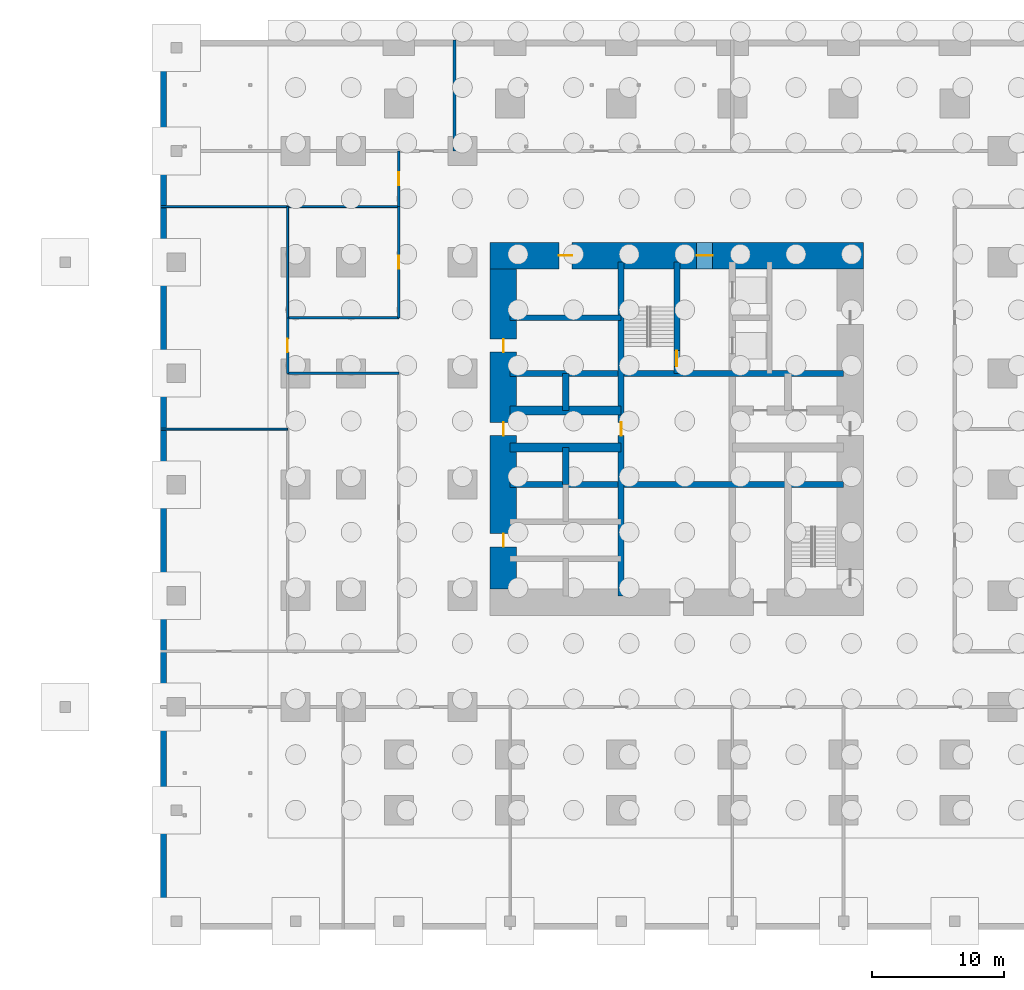
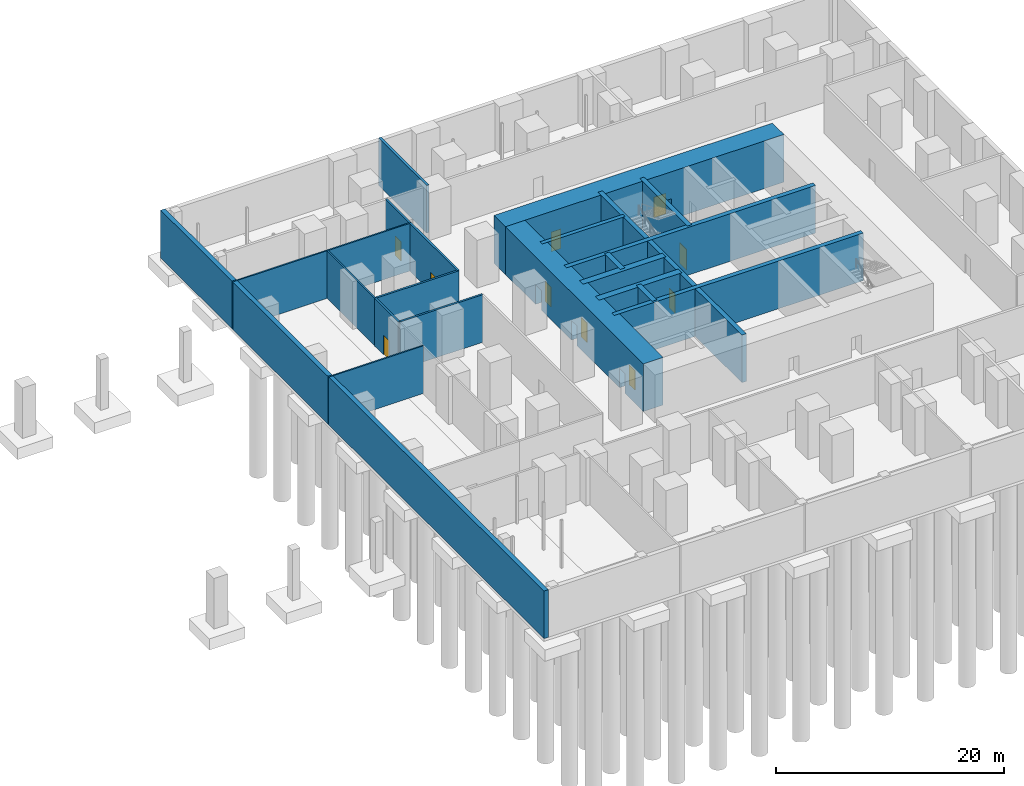
# One storey, part 13 of 18: 21 walls, 10 doors, 10 openings.
"""IFC4 building model written with IfcOpenShell, lengths in metres."""

from ifc_helpers import new_model, si_unit, direction, frame, frame_2d, origin, place, context, subcontext, project, spatial, rectangle, extrude, material, layer, layer_set, type_object, element, fill, save


model = new_model("IFC4")

# Units and contexts
model_context = context("Model", 3, precision=1e-05, world=origin(), true_north=direction((0.0, 1.0)))
body_context = subcontext(model_context, "Body", "Model", "MODEL_VIEW")
ifc_project = project(units=[si_unit("LENGTHUNIT", "METRE"), si_unit("AREAUNIT", "SQUARE_METRE"), si_unit("VOLUMEUNIT", "CUBIC_METRE"), si_unit("PLANEANGLEUNIT", "RADIAN"), si_unit("MASSUNIT", "GRAM", prefix="KILO")], contexts=[model_context])

# Site, building, storey
site_placement = place(None, origin())
site = spatial("IfcSite", under=ifc_project, at=site_placement, CompositionType="ELEMENT")
building_placement = place(site_placement, origin())
building = spatial("IfcBuilding", under=site, at=building_placement, Name="Dunama Terrace Hotel", CompositionType="ELEMENT")
storey_placement = place(building_placement, frame((0.0, 0.0, -5.39990234375)))
storey = spatial("IfcBuildingStorey", under=building, at=storey_placement, Name="B1", CompositionType="ELEMENT", Elevation=-5.39990234375)

# Walls
ifc_material_1 = material(Name="Concrete C40/50", Category="concrete")
ifc_layer_1 = layer(ifc_material_1, 0.449951171875)
ifc_layer_set_1 = layer_set([ifc_layer_1], Name="Basement retaining wall 450")
wall_type_1 = type_object("IfcWallType", Name="Basement retaining wall 450", PredefinedType="SOLIDWALL", material=ifc_layer_set_1)
wall_1_placement = place(storey_placement, frame((-9.375, 58.800048828125, 0.0), z_axis=(0.0, 0.0, 1.0), x_axis=(0.0, -1.0, 0.0)))
element("IfcWall", 1, at=wall_1_placement, inside=storey, type_object=wall_type_1, Name="Basement retaining wall", PredefinedType="SOLIDWALL", context=body_context, shape_type="SweptSolid", body=[
    extrude(rectangle(XDim=67.199951171875, YDim=0.449951171875, at=frame_2d((33.60009765625, 0.0))), origin(), (0.0, 0.0, 1.0), 5.099853515625),
])
ifc_material_2 = material(Name="Concrete C50/60", Category="concrete")
ifc_layer_2 = layer(ifc_material_2, 0.39990234375)
ifc_layer_set_2 = layer_set([ifc_layer_2], Name="Core inner wall 400")
wall_type_2 = type_object("IfcWallType", Name="Core inner wall 400", PredefinedType="SHEAR", material=ifc_layer_set_2)
wall_2_placement = place(storey_placement, frame((16.800048828125, 37.800048828125, 0.0), z_axis=(0.0, 0.0, 1.0), x_axis=(1.0, 0.0, 0.0)))
element("IfcWall", 2, at=wall_2_placement, inside=storey, type_object=wall_type_2, Name="Core inner wall 400 B1", PredefinedType="SHEAR", context=body_context, shape_type="SweptSolid", body=[
    extrude(rectangle(XDim=8.39990234375, YDim=0.39990234375, at=frame_2d((4.199951171875, 0.0))), origin(), (0.0, 0.0, 1.0), 5.099853515625),
])

# Wall, opening, door
ifc_material_3 = material(Name="Concrete C50/60", Category="concrete")
ifc_layer_3 = layer(ifc_material_3, 0.449951171875)
ifc_layer_set_3 = layer_set([ifc_layer_3], Name="Core inner wall 450")
wall_type_3 = type_object("IfcWallType", Name="Core inner wall 450", PredefinedType="SHEAR", material=ifc_layer_set_3)
wall_3_placement = place(storey_placement, frame((25.199951171875, 16.800048828125, 0.0), z_axis=(0.0, 0.0, 1.0), x_axis=(0.0, 1.0, 0.0)))
wall_3 = element("IfcWall", 3, at=wall_3_placement, inside=storey, type_object=wall_type_3, Name="Core inner wall 450 B1", PredefinedType="SHEAR", context=body_context, shape_type="SweptSolid", body=[
    extrude(rectangle(XDim=25.199951171875, YDim=0.449951171875, at=frame_2d((12.60009765625, 0.0))), origin(), (0.0, 0.0, 1.0), 5.099853515625),
])
opening_1_placement = place(wall_3_placement, frame((12.10009765625, 0.0, 0.0)))
opening_1 = element("IfcOpeningElement", 4, at=opening_1_placement, cuts=wall_3, Name="Opening B1-009", PredefinedType="OPENING", context=body_context, shape_type="SweptSolid", body=[
    extrude(rectangle(XDim=1.0, YDim=2.10009765625, at=frame_2d((0.5, 1.050048828125))), frame((0.0, 0.23486328125, 0.0), z_axis=(0.0, -1.0, 0.0), x_axis=(1.0, 0.0, 0.0)), (0.0, 0.0, 1.0), 0.469970703125),
])
ifc_material_4 = material(Name="Timber door with steel frame", Category="steel")
door_type_1 = type_object("IfcDoorType", Name="Service door 1000", OperationType="SINGLE_SWING_LEFT", PredefinedType="DOOR", material=ifc_material_4)
door_1_placement = place(opening_1_placement, frame((1.0, 0.0, 0.0), z_axis=(0.0, 0.0, 1.0), x_axis=(-1.0, 0.0, 0.0)))
door_1 = element("IfcDoor", 5, at=door_1_placement, inside=storey, type_object=door_type_1, Name="Door to engineering store B1-009, type D7", OperationType="SINGLE_SWING_RIGHT", OverallHeight=2.10009765625, OverallWidth=1.0, PredefinedType="DOOR", context=body_context, shape_type="SweptSolid", body=[
    extrude(rectangle(XDim=1.0, YDim=2.10009765625, at=frame_2d((0.5, 1.050048828125))), frame((0.0, 0.025146484375, 0.0), z_axis=(0.0, -1.0, 0.0), x_axis=(1.0, 0.0, 0.0)), (0.0, 0.0, 1.0), 0.050048828125),
])
fill(opening_1, door_1)

wall_4_placement = place(storey_placement, frame((29.39990234375, 33.60009765625, 0.0), z_axis=(0.0, 0.0, 1.0), x_axis=(0.0, 1.0, 0.0)))
wall_4 = element("IfcWall", 6, at=wall_4_placement, inside=storey, type_object=wall_type_3, Name="Core inner wall 450 B1", PredefinedType="SHEAR", context=body_context, shape_type="SweptSolid", body=[
    extrude(rectangle(XDim=8.39990234375, YDim=0.449951171875, at=frame_2d((4.199951171875, 0.0))), origin(), (0.0, 0.0, 1.0), 5.099853515625),
])
opening_2_placement = place(wall_4_placement, frame((0.52490234375, 0.0, 0.0)))
opening_2 = element("IfcOpeningElement", 7, at=opening_2_placement, cuts=wall_4, Name="Opening B1-001", PredefinedType="OPENING", context=body_context, shape_type="SweptSolid", body=[
    extrude(rectangle(XDim=1.199951171875, YDim=2.199951171875, at=frame_2d((0.60009765625, 1.10009765625))), frame((0.0, 0.23486328125, 0.0), z_axis=(0.0, -1.0, 0.0), x_axis=(1.0, 0.0, 0.0)), (0.0, 0.0, 1.0), 0.469970703125),
])
ifc_material_5 = material(Name="Timber door with steel frame", Category="steel")
door_type_2 = type_object("IfcDoorType", Name="Stair door 1200", OperationType="SINGLE_SWING_LEFT", PredefinedType="DOOR", material=ifc_material_5)
door_2_placement = place(opening_2_placement, origin())
door_2 = element("IfcDoor", 8, at=door_2_placement, inside=storey, type_object=door_type_2, Name="Stair door ST1 B1-001, type D5", OperationType="SINGLE_SWING_LEFT", OverallHeight=2.199951171875, OverallWidth=1.199951171875, PredefinedType="DOOR", context=body_context, shape_type="SweptSolid", body=[
    extrude(rectangle(XDim=1.199951171875, YDim=2.199951171875, at=frame_2d((0.60009765625, 1.10009765625))), frame((0.0, 0.02490234375, 0.0), z_axis=(0.0, -1.0, 0.0), x_axis=(1.0, 0.0, 0.0)), (0.0, 0.0, 1.0), 0.050048828125),
])
fill(opening_2, door_2)

# Walls
for number, where, z_axis, x_axis, name in (
    (9, (16.800048828125, 25.199951171875, 0.0), (0.0, 0.0, 1.0), (1.0, 0.0, 0.0), "Core inner wall 450 B1"),
    (10, (16.800048828125, 33.60009765625, 0.0), (0.0, 0.0, 1.0), (1.0, 0.0, 0.0), "Core inner wall 450 B1"),
):
    element("IfcWall", number, at=place(storey_placement, frame(where, z_axis=z_axis, x_axis=x_axis)), inside=storey, type_object=wall_type_3, Name=name, PredefinedType="SHEAR", context=body_context, shape_type="SweptSolid", body=[
        extrude(rectangle(XDim=25.199951171875, YDim=0.449951171875, at=frame_2d((12.60009765625, 0.0))), origin(), (0.0, 0.0, 1.0), 5.099853515625),
    ])
ifc_material_6 = material(Name="Concrete C50/60", Category="concrete")
ifc_layer_4 = layer(ifc_material_6, 0.5)
ifc_layer_set_4 = layer_set([ifc_layer_4], Name="Core inner wall 500")
wall_type_4 = type_object("IfcWallType", Name="Core inner wall 500", PredefinedType="SHEAR", material=ifc_layer_set_4)
for number, where, z_axis, x_axis, name in (
    (11, (21.0, 25.199951171875, 0.0), (0.0, 0.0, 1.0), (0.0, 1.0, 0.0), "Core inner wall 500 B1"),
    (12, (21.0, 30.800048828125, 0.0), (0.0, 0.0, 1.0), (0.0, 1.0, 0.0), "Core inner wall 500 B1"),
):
    element("IfcWall", number, at=place(storey_placement, frame(where, z_axis=z_axis, x_axis=x_axis)), inside=storey, type_object=wall_type_4, Name=name, PredefinedType="SHEAR", context=body_context, shape_type="SweptSolid", body=[
        extrude(rectangle(XDim=2.800048828125, YDim=0.5, at=frame_2d((1.39990234375, 0.0))), origin(), (0.0, 0.0, 1.0), 5.099853515625),
    ])
ifc_material_7 = material(Name="Concrete C50/60", Category="concrete")
ifc_layer_5 = layer(ifc_material_7, 0.64990234375)
ifc_layer_set_5 = layer_set([ifc_layer_5], Name="Core inner wall 650")
wall_type_5 = type_object("IfcWallType", Name="Core inner wall 650", PredefinedType="SHEAR", material=ifc_layer_set_5)
for number, where, z_axis, x_axis, name in (
    (13, (16.800048828125, 28.0, 0.0), (0.0, 0.0, 1.0), (1.0, 0.0, 0.0), "Core inner wall 650 B1"),
    (14, (16.800048828125, 30.800048828125, 0.0), (0.0, 0.0, 1.0), (1.0, 0.0, 0.0), "Core inner wall 650 B1"),
):
    element("IfcWall", number, at=place(storey_placement, frame(where, z_axis=z_axis, x_axis=x_axis)), inside=storey, type_object=wall_type_5, Name=name, PredefinedType="SHEAR", context=body_context, shape_type="SweptSolid", body=[
        extrude(rectangle(XDim=8.39990234375, YDim=0.64990234375, at=frame_2d((4.199951171875, 0.0))), origin(), (0.0, 0.0, 1.0), 5.099853515625),
    ])

# Wall, openings, doors
ifc_material_8 = material(Name="Concrete C60/75", Category="concrete")
ifc_layer_6 = layer(ifc_material_8, 2.0)
ifc_layer_set_6 = layer_set([ifc_layer_6], Name="Core wall 2000")
wall_type_6 = type_object("IfcWallType", Name="Core wall 2000", PredefinedType="SHEAR", material=ifc_layer_set_6)
wall_5_placement = place(storey_placement, frame((43.5, 42.5, 0.0), z_axis=(0.0, 0.0, 1.0), x_axis=(-1.0, 0.0, 0.0)))
wall_5 = element("IfcWall", 15, at=wall_5_placement, inside=storey, type_object=wall_type_6, Name="Core wall north B1", PredefinedType="SHEAR", context=body_context, shape_type="SweptSolid", body=[
    extrude(rectangle(XDim=28.199951171875, YDim=2.0, at=frame_2d((14.10009765625, 0.0))), origin(), (0.0, 0.0, 1.0), 5.099853515625),
])
opening_3_placement = place(wall_5_placement, frame((22.0, 0.0, 0.0)))
opening_3 = element("IfcOpeningElement", 16, at=opening_3_placement, cuts=wall_5, Name="Opening B1-008", PredefinedType="OPENING", context=body_context, shape_type="SweptSolid", body=[
    extrude(rectangle(XDim=1.0, YDim=2.10009765625, at=frame_2d((0.5, 1.050048828125))), frame((0.0, 1.010009765625, 0.0), z_axis=(0.0, -1.0, 0.0), x_axis=(1.0, 0.0, 0.0)), (0.0, 0.0, 1.0), 2.02001953125),
])
opening_4_placement = place(wall_5_placement, frame((11.39990234375, 0.0, 0.0)))
opening_4 = element("IfcOpeningElement", 17, at=opening_4_placement, cuts=wall_5, Name="Opening B1-013", PredefinedType="OPENING", context=body_context, shape_type="SweptSolid", body=[
    extrude(rectangle(XDim=1.199951171875, YDim=2.199951171875, at=frame_2d((0.60009765625, 1.10009765625))), frame((0.0, 1.010009765625, 0.0), z_axis=(0.0, -1.0, 0.0), x_axis=(1.0, 0.0, 0.0)), (0.0, 0.0, 1.0), 2.02001953125),
])
ifc_material_9 = material(Name="Timber door with steel frame", Category="steel")
door_type_3 = type_object("IfcDoorType", Name="Firefighting lobby door 1200", OperationType="SINGLE_SWING_LEFT", PredefinedType="DOOR", material=ifc_material_9)
door_3_placement = place(opening_4_placement, origin())
door_3 = element("IfcDoor", 18, at=door_3_placement, inside=storey, type_object=door_type_3, Name="Door to firefighting lobby B1-013, type D4", OperationType="SINGLE_SWING_LEFT", OverallHeight=2.199951171875, OverallWidth=1.199951171875, PredefinedType="DOOR", context=body_context, shape_type="SweptSolid", body=[
    extrude(rectangle(XDim=1.199951171875, YDim=2.199951171875, at=frame_2d((0.60009765625, 1.10009765625))), frame((0.0, 0.02490234375, 0.0), z_axis=(0.0, -1.0, 0.0), x_axis=(1.0, 0.0, 0.0)), (0.0, 0.0, 1.0), 0.050048828125),
])
fill(opening_4, door_3)
door_4_placement = place(opening_3_placement, origin())
door_4 = element("IfcDoor", 19, at=door_4_placement, inside=storey, type_object=door_type_1, Name="Door to communications and riser room B1-008, type D7", OperationType="SINGLE_SWING_RIGHT", OverallHeight=2.10009765625, OverallWidth=1.0, PredefinedType="DOOR", context=body_context, shape_type="SweptSolid", body=[
    extrude(rectangle(XDim=1.0, YDim=2.10009765625, at=frame_2d((0.5, 1.050048828125))), frame((0.0, 0.02490234375, 0.0), z_axis=(0.0, -1.0, 0.0), x_axis=(1.0, 0.0, 0.0)), (0.0, 0.0, 1.0), 0.050048828125),
])
fill(opening_3, door_4)

wall_6_placement = place(storey_placement, frame((16.300048828125, 41.5, 0.0), z_axis=(0.0, 0.0, 1.0), x_axis=(0.0, -1.0, 0.0)))
wall_6 = element("IfcWall", 20, at=wall_6_placement, inside=storey, type_object=wall_type_6, Name="Core wall west B1", PredefinedType="SHEAR", context=body_context, shape_type="SweptSolid", body=[
    extrude(rectangle(XDim=24.199951171875, YDim=2.0, at=frame_2d((12.10009765625, 0.0))), origin(), (0.0, 0.0, 1.0), 5.099853515625),
])
opening_5_placement = place(wall_6_placement, frame((11.60009765625, 0.0, 0.0)))
opening_5 = element("IfcOpeningElement", 21, at=opening_5_placement, cuts=wall_6, Name="Opening B1-005", PredefinedType="OPENING", context=body_context, shape_type="SweptSolid", body=[
    extrude(rectangle(XDim=1.0, YDim=2.10009765625, at=frame_2d((0.5, 1.050048828125))), frame((0.0, 1.010009765625, 0.0), z_axis=(0.0, -1.0, 0.0), x_axis=(1.0, 0.0, 0.0)), (0.0, 0.0, 1.0), 2.02001953125),
])
opening_6_placement = place(wall_6_placement, frame((20.0, 0.0, 0.0)))
opening_6 = element("IfcOpeningElement", 22, at=opening_6_placement, cuts=wall_6, Name="Opening B1-006", PredefinedType="OPENING", context=body_context, shape_type="SweptSolid", body=[
    extrude(rectangle(XDim=1.0, YDim=2.10009765625, at=frame_2d((0.5, 1.050048828125))), frame((0.0, 1.010009765625, 0.0), z_axis=(0.0, -1.0, 0.0), x_axis=(1.0, 0.0, 0.0)), (0.0, 0.0, 1.0), 2.02001953125),
])
opening_7_placement = place(wall_6_placement, frame((5.300048828125, 0.0, 0.0)))
opening_7 = element("IfcOpeningElement", 23, at=opening_7_placement, cuts=wall_6, Name="Opening B1-007", PredefinedType="OPENING", context=body_context, shape_type="SweptSolid", body=[
    extrude(rectangle(XDim=1.0, YDim=2.10009765625, at=frame_2d((0.5, 1.050048828125))), frame((0.0, 1.010009765625, 0.0), z_axis=(0.0, -1.0, 0.0), x_axis=(1.0, 0.0, 0.0)), (0.0, 0.0, 1.0), 2.02001953125),
])
door_5_placement = place(opening_5_placement, origin())
door_5 = element("IfcDoor", 24, at=door_5_placement, inside=storey, type_object=door_type_1, Name="Door to service lobby B1-005, type D7", OperationType="SINGLE_SWING_RIGHT", OverallHeight=2.10009765625, OverallWidth=1.0, PredefinedType="DOOR", context=body_context, shape_type="SweptSolid", body=[
    extrude(rectangle(XDim=1.0, YDim=2.10009765625, at=frame_2d((0.5, 1.050048828125))), frame((0.0, 0.02490234375, 0.0), z_axis=(0.0, -1.0, 0.0), x_axis=(1.0, 0.0, 0.0)), (0.0, 0.0, 1.0), 0.050048828125),
])
fill(opening_5, door_5)
door_6_placement = place(opening_6_placement, origin())
door_6 = element("IfcDoor", 25, at=door_6_placement, inside=storey, type_object=door_type_1, Name="Door to service lobby B1-006, type D7", OperationType="SINGLE_SWING_LEFT", OverallHeight=2.10009765625, OverallWidth=1.0, PredefinedType="DOOR", context=body_context, shape_type="SweptSolid", body=[
    extrude(rectangle(XDim=1.0, YDim=2.10009765625, at=frame_2d((0.5, 1.050048828125))), frame((0.0, 0.02490234375, 0.0), z_axis=(0.0, -1.0, 0.0), x_axis=(1.0, 0.0, 0.0)), (0.0, 0.0, 1.0), 0.050048828125),
])
fill(opening_6, door_6)
door_7_placement = place(opening_7_placement, origin())
door_7 = element("IfcDoor", 26, at=door_7_placement, inside=storey, type_object=door_type_1, Name="Door to electrical room B1-007, type D7", OperationType="SINGLE_SWING_RIGHT", OverallHeight=2.10009765625, OverallWidth=1.0, PredefinedType="DOOR", context=body_context, shape_type="SweptSolid", body=[
    extrude(rectangle(XDim=1.0, YDim=2.10009765625, at=frame_2d((0.5, 1.050048828125))), frame((0.0, 0.02490234375, 0.0), z_axis=(0.0, -1.0, 0.0), x_axis=(1.0, 0.0, 0.0)), (0.0, 0.0, 1.0), 0.050048828125),
])
fill(opening_7, door_7)

# Wall, opening, door
ifc_material_10 = material(Name="Concrete blockwork", Category="masonry")
ifc_layer_7 = layer(ifc_material_10, 0.199951171875)
ifc_layer_set_7 = layer_set([ifc_layer_7], Name="Corridor partition 200")
wall_type_7 = type_object("IfcWallType", Name="Corridor partition 200", PredefinedType="PARTITIONING", material=ifc_layer_set_7)
wall_7_placement = place(storey_placement, frame((0.0, 33.60009765625, 0.0), z_axis=(0.0, 0.0, 1.0), x_axis=(0.0, 1.0, 0.0)))
wall_7 = element("IfcWall", 27, at=wall_7_placement, inside=storey, type_object=wall_type_7, Name="Corridor partition 200 B1", PredefinedType="PARTITIONING", context=body_context, shape_type="SweptSolid", body=[
    extrude(rectangle(XDim=4.199951171875, YDim=0.199951171875, at=frame_2d((2.10009765625, 0.0))), origin(), (0.0, 0.0, 1.0), 5.099853515625),
])
opening_8_placement = place(wall_7_placement, frame((1.60009765625, 0.0, 0.0)))
opening_8 = element("IfcOpeningElement", 28, at=opening_8_placement, cuts=wall_7, Name="Opening B1-023", PredefinedType="OPENING", context=body_context, shape_type="SweptSolid", body=[
    extrude(rectangle(XDim=1.0, YDim=2.10009765625, at=frame_2d((0.5, 1.050048828125))), frame((0.0, 0.10986328125, 0.0), z_axis=(0.0, -1.0, 0.0), x_axis=(1.0, 0.0, 0.0)), (0.0, 0.0, 1.0), 0.219970703125),
])
door_8_placement = place(opening_8_placement, origin())
door_8 = element("IfcDoor", 29, at=door_8_placement, inside=storey, type_object=door_type_1, Name="Door to staff changing room female B1-023, type D7", OperationType="SINGLE_SWING_LEFT", OverallHeight=2.10009765625, OverallWidth=1.0, PredefinedType="DOOR", context=body_context, shape_type="SweptSolid", body=[
    extrude(rectangle(XDim=1.0, YDim=2.10009765625, at=frame_2d((0.5, 1.050048828125))), frame((0.0, 0.02490234375, 0.0), z_axis=(0.0, -1.0, 0.0), x_axis=(1.0, 0.0, 0.0)), (0.0, 0.0, 1.0), 0.050048828125),
])
fill(opening_8, door_8)

wall_8_placement = place(storey_placement, frame((8.39990234375, 46.199951171875, 0.0), z_axis=(0.0, 0.0, 1.0), x_axis=(0.0, 1.0, 0.0)))
wall_8 = element("IfcWall", 30, at=wall_8_placement, inside=storey, type_object=wall_type_7, Name="Corridor partition 200 B1", PredefinedType="PARTITIONING", context=body_context, shape_type="SweptSolid", body=[
    extrude(rectangle(XDim=4.199951171875, YDim=0.199951171875, at=frame_2d((2.10009765625, 0.0))), origin(), (0.0, 0.0, 1.0), 5.099853515625),
])
opening_9_placement = place(wall_8_placement, frame((1.60009765625, 0.0, 0.0)))
opening_9 = element("IfcOpeningElement", 31, at=opening_9_placement, cuts=wall_8, Name="Opening B1-031", PredefinedType="OPENING", context=body_context, shape_type="SweptSolid", body=[
    extrude(rectangle(XDim=1.0, YDim=2.10009765625, at=frame_2d((0.5, 1.050048828125))), frame((0.0, 0.10986328125, 0.0), z_axis=(0.0, -1.0, 0.0), x_axis=(1.0, 0.0, 0.0)), (0.0, 0.0, 1.0), 0.219970703125),
])
door_9_placement = place(opening_9_placement, origin())
door_9 = element("IfcDoor", 32, at=door_9_placement, inside=storey, type_object=door_type_1, Name="Door to security control room B1-031, type D7", OperationType="SINGLE_SWING_RIGHT", OverallHeight=2.10009765625, OverallWidth=1.0, PredefinedType="DOOR", context=body_context, shape_type="SweptSolid", body=[
    extrude(rectangle(XDim=1.0, YDim=2.10009765625, at=frame_2d((0.5, 1.050048828125))), frame((0.0, 0.02490234375, 0.0), z_axis=(0.0, -1.0, 0.0), x_axis=(1.0, 0.0, 0.0)), (0.0, 0.0, 1.0), 0.050048828125),
])
fill(opening_9, door_9)

# Wall
wall_9_placement = place(storey_placement, frame((0.0, 33.60009765625, 0.0), z_axis=(0.0, 0.0, 1.0), x_axis=(1.0, 0.0, 0.0)))
element("IfcWall", 33, at=wall_9_placement, inside=storey, type_object=wall_type_7, Name="Corridor partition 200 B1", PredefinedType="PARTITIONING", context=body_context, shape_type="SweptSolid", body=[
    extrude(rectangle(XDim=8.39990234375, YDim=0.199951171875, at=frame_2d((4.199951171875, 0.0))), origin(), (0.0, 0.0, 1.0), 5.099853515625),
])

# Wall, opening, door
wall_10_placement = place(storey_placement, frame((8.39990234375, 46.199951171875, 0.0), z_axis=(0.0, 0.0, 1.0), x_axis=(0.0, -1.0, 0.0)))
wall_10 = element("IfcWall", 34, at=wall_10_placement, inside=storey, type_object=wall_type_7, Name="Corridor partition 200 B1", PredefinedType="PARTITIONING", context=body_context, shape_type="SweptSolid", body=[
    extrude(rectangle(XDim=8.39990234375, YDim=0.199951171875, at=frame_2d((4.199951171875, 0.0))), origin(), (0.0, 0.0, 1.0), 5.099853515625),
])
opening_10_placement = place(wall_10_placement, frame((3.699951171875, 0.0, 0.0)))
opening_10 = element("IfcOpeningElement", 35, at=opening_10_placement, cuts=wall_10, Name="Opening B1-025", PredefinedType="OPENING", context=body_context, shape_type="SweptSolid", body=[
    extrude(rectangle(XDim=1.0, YDim=2.10009765625, at=frame_2d((0.5, 1.050048828125))), frame((0.0, 0.10986328125, 0.0), z_axis=(0.0, -1.0, 0.0), x_axis=(1.0, 0.0, 0.0)), (0.0, 0.0, 1.0), 0.219970703125),
])
door_10_placement = place(opening_10_placement, origin())
door_10 = element("IfcDoor", 36, at=door_10_placement, inside=storey, type_object=door_type_1, Name="Door to staff rest room B1-025, type D7", OperationType="SINGLE_SWING_LEFT", OverallHeight=2.10009765625, OverallWidth=1.0, PredefinedType="DOOR", context=body_context, shape_type="SweptSolid", body=[
    extrude(rectangle(XDim=1.0, YDim=2.10009765625, at=frame_2d((0.5, 1.050048828125))), frame((0.0, 0.02490234375, 0.0), z_axis=(0.0, -1.0, 0.0), x_axis=(1.0, 0.0, 0.0)), (0.0, 0.0, 1.0), 0.050048828125),
])
fill(opening_10, door_10)

# Walls
wall_11_placement = place(storey_placement, frame((8.39990234375, 37.800048828125, 0.0), z_axis=(0.0, 0.0, 1.0), x_axis=(-1.0, 0.0, 0.0)))
element("IfcWall", 37, at=wall_11_placement, inside=storey, type_object=wall_type_7, Name="Corridor partition 200 B1", PredefinedType="PARTITIONING", context=body_context, shape_type="SweptSolid", body=[
    extrude(rectangle(XDim=8.39990234375, YDim=0.199951171875, at=frame_2d((4.199951171875, 0.0))), origin(), (0.0, 0.0, 1.0), 5.099853515625),
])
ifc_material_11 = material(Name="Concrete blockwork", Category="masonry")
ifc_layer_8 = layer(ifc_material_11, 0.25)
ifc_layer_set_8 = layer_set([ifc_layer_8], Name="Plant room wall 250")
wall_type_8 = type_object("IfcWallType", Name="Plant room wall 250", PredefinedType="PARTITIONING", material=ifc_layer_set_8)
wall_12_placement = place(storey_placement, frame((12.60009765625, 50.39990234375, 0.0), z_axis=(0.0, 0.0, 1.0), x_axis=(0.0, 1.0, 0.0)))
element("IfcWall", 38, at=wall_12_placement, inside=storey, type_object=wall_type_8, Name="Plant room wall 250 B1", PredefinedType="PARTITIONING", context=body_context, shape_type="SweptSolid", body=[
    extrude(rectangle(XDim=8.400146484375, YDim=0.25, at=frame_2d((4.2001953125, 0.0))), origin(), (0.0, 0.0, 1.0), 5.099853515625),
])
ifc_material_12 = material(Name="Gypsum board partition", Category="masonry")
ifc_layer_9 = layer(ifc_material_12, 0.14990234375)
ifc_layer_set_9 = layer_set([ifc_layer_9], Name="Room partition 150")
wall_type_9 = type_object("IfcWallType", Name="Room partition 150", PredefinedType="PARTITIONING", material=ifc_layer_set_9)
wall_13_placement = place(storey_placement, frame((0.0, 37.800048828125, 0.0), z_axis=(0.0, 0.0, 1.0), x_axis=(0.0, 1.0, 0.0)))
element("IfcWall", 39, at=wall_13_placement, inside=storey, type_object=wall_type_9, Name="Room partition 150 B1", PredefinedType="PARTITIONING", context=body_context, shape_type="SweptSolid", body=[
    extrude(rectangle(XDim=8.39990234375, YDim=0.14990234375, at=frame_2d((4.199951171875, 0.0))), origin(), (0.0, 0.0, 1.0), 5.099853515625),
])
wall_14_placement = place(storey_placement, frame((-9.60009765625, 29.39990234375, 0.0), z_axis=(0.0, 0.0, 1.0), x_axis=(1.0, 0.0, 0.0)))
element("IfcWall", 40, at=wall_14_placement, inside=storey, type_object=wall_type_9, Name="Room partition 150 B1", PredefinedType="PARTITIONING", context=body_context, shape_type="SweptSolid", body=[
    extrude(rectangle(XDim=9.60009765625, YDim=0.14990234375, at=frame_2d((4.800048828125, 0.0))), origin(), (0.0, 0.0, 1.0), 5.099853515625),
])
wall_15_placement = place(storey_placement, frame((-9.60009765625, 46.199951171875, 0.0), z_axis=(0.0, 0.0, 1.0), x_axis=(1.0, 0.0, 0.0)))
element("IfcWall", 41, at=wall_15_placement, inside=storey, type_object=wall_type_9, Name="Room partition 150 B1", PredefinedType="PARTITIONING", context=body_context, shape_type="SweptSolid", body=[
    extrude(rectangle(XDim=18.0, YDim=0.14990234375, at=frame_2d((9.0, 0.0))), origin(), (0.0, 0.0, 1.0), 5.099853515625),
])

save(model, "model.ifc")
